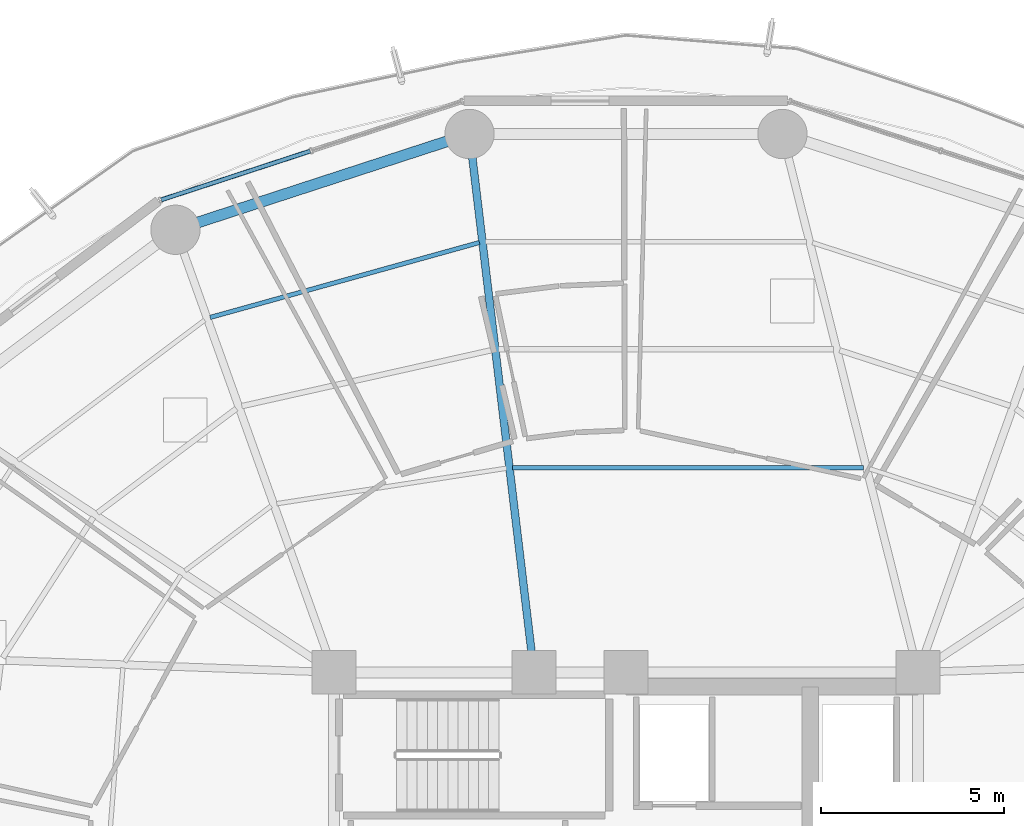
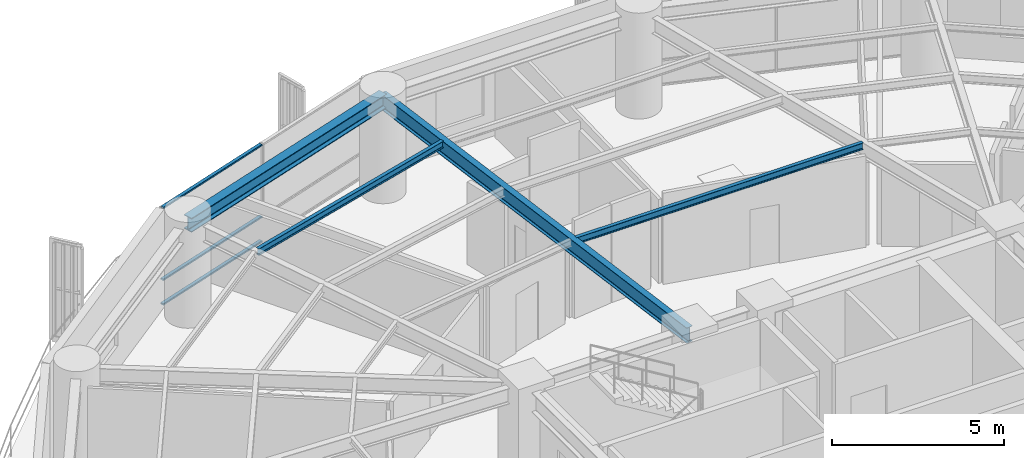
# One storey, part 21 of 35: 4 beams, 3 members, 1 element without a shape of its own.
"""IFC4 building model written with IfcOpenShell, lengths in metres."""

from ifc_helpers import new_model, si_unit, direction, frame, origin, origin_2d, place, context, subcontext, project, spatial, hollow_rectangle, i_section, extrude, material, layer, layer_set, material_profile, profile_set, type_object, element, aggregate, save


model = new_model("IFC4")

# Units and contexts
model_context = context("Model", 3, precision=1e-05, world=origin(), true_north=direction((0.0, 1.0)))
body_context = subcontext(model_context, "Body", "Model", "MODEL_VIEW")
ifc_project = project(units=[si_unit("LENGTHUNIT", "METRE"), si_unit("AREAUNIT", "SQUARE_METRE"), si_unit("VOLUMEUNIT", "CUBIC_METRE"), si_unit("PLANEANGLEUNIT", "RADIAN"), si_unit("MASSUNIT", "GRAM", prefix="KILO")], contexts=[model_context])

# Site, building, storey
site_placement = place(None, origin())
site = spatial("IfcSite", under=ifc_project, at=site_placement, CompositionType="ELEMENT")
building_placement = place(site_placement, origin())
building = spatial("IfcBuilding", under=site, at=building_placement, Name="Kelanora Arch Commons", CompositionType="ELEMENT")
storey_placement = place(building_placement, frame((0.0, 0.0, 117.60009765625)))
storey = spatial("IfcBuildingStorey", under=building, at=storey_placement, Name="L30", CompositionType="ELEMENT", Elevation=117.60009765625)

# Beams
ifc_material_1 = material(Name="Steel S355", Category="steel")
ifc_material_profile_1 = material_profile(ifc_material_1, i_section(OverallWidth=0.1201171875, OverallDepth=0.239990234375, WebThickness=0.006103515625, FlangeThickness=0.009765625, FilletRadius=0.014892578125, at=origin_2d()), Name="IPE240")
ifc_profile_set_1 = profile_set([ifc_material_profile_1], Name="Steel S355")
beam_type_1 = type_object("IfcBeamType", Name="BM-JST-02", PredefinedType="JOIST", material=ifc_profile_set_1)
beam_1_placement = place(storey_placement, frame((80.50341796875, 70.602783203125, 3.369873046875), z_axis=(-1.0, 0.0, 0.0), x_axis=(0.0, -1.0, 0.0)))
element("IfcBeam", 1, at=beam_1_placement, inside=storey, type_object=beam_type_1, Name="Secondary Chord Joist BJA-08 L30", PredefinedType="JOIST", context=body_context, shape_type="SweptSolid", body=[
    extrude(i_section(OverallWidth=0.1201171875, OverallDepth=0.239990234375, WebThickness=0.006103515625, FlangeThickness=0.009765625, FilletRadius=0.014892578125, at=origin_2d()), origin(), (0.0, 0.0, 1.0), 9.609375),
])
beam_2_placement = place(storey_placement, frame((69.985595703125, 76.77294921875, 3.369873046875), z_axis=(-0.963385760896, -0.268119144603, 0.0), x_axis=(0.268119144603, -0.963385760896, 0.0)))
element("IfcBeam", 2, at=beam_2_placement, inside=storey, type_object=beam_type_1, Name="Secondary Chord Joist BJC-10 L30", PredefinedType="JOIST", context=body_context, shape_type="SweptSolid", body=[
    extrude(i_section(OverallWidth=0.1201171875, OverallDepth=0.239990234375, WebThickness=0.006103515625, FlangeThickness=0.009765625, FilletRadius=0.014892578125, at=origin_2d()), origin(), (0.0, 0.0, 1.0), 7.656005859375),
])
ifc_material_profile_2 = material_profile(ifc_material_1, i_section(OverallWidth=0.2099609375, OverallDepth=0.550048828125, WebThickness=0.010986328125, FlangeThickness=0.01708984375, FilletRadius=0.02392578125, at=origin_2d()), Name="IPE550")
ifc_profile_set_2 = profile_set([ifc_material_profile_2], Name="Steel S355")
beam_type_2 = type_object("IfcBeamType", Name="BM-RAD-Z2", PredefinedType="BEAM", material=ifc_profile_set_2)
beam_3_placement = place(storey_placement, frame((71.47998046875, 65.0, 3.21484375), z_axis=(-0.118897572414, 0.992906524943, 0.0), x_axis=(-0.992906524943, -0.118897572414, 0.0)))
element("IfcBeam", 3, at=beam_3_placement, inside=storey, type_object=beam_type_2, Name="Radial Floor Girder BR-10 L30", PredefinedType="BEAM", context=body_context, shape_type="SweptSolid", body=[
    extrude(i_section(OverallWidth=0.2099609375, OverallDepth=0.550048828125, WebThickness=0.010986328125, FlangeThickness=0.01708984375, FilletRadius=0.02392578125, at=origin_2d()), origin(), (0.0, 0.0, 1.0), 14.849853515625),
])
ifc_material_profile_3 = material_profile(ifc_material_1, i_section(OverallWidth=0.300048828125, OverallDepth=0.5, WebThickness=0.014404296875, FlangeThickness=0.028076171875, FilletRadius=0.027099609375, at=origin_2d()), Name="HEB500")
ifc_profile_set_3 = profile_set([ifc_material_profile_3], Name="Steel S355")
beam_type_3 = type_object("IfcBeamType", Name="BM-SPN-Z2", PredefinedType="SPANDREL", material=ifc_profile_set_3)
beam_4_placement = place(storey_placement, frame((69.71435546875, 79.74462890625, 3.239990234375), z_axis=(-0.950856631974, -0.309631499418, 0.0), x_axis=(0.309631499418, -0.950856631974, 0.0)))
element("IfcBeam", 4, at=beam_4_placement, inside=storey, type_object=beam_type_3, Name="Perimeter Spandrel Beam BS-10 L30", PredefinedType="SPANDREL", context=body_context, shape_type="SweptSolid", body=[
    extrude(i_section(OverallWidth=0.300048828125, OverallDepth=0.5, WebThickness=0.014404296875, FlangeThickness=0.028076171875, FilletRadius=0.027099609375, at=origin_2d()), origin(), (0.0, 0.0, 1.0), 8.470703125),
])

# Curtain wall, members
ifc_material_2 = material(Name="Terracotta ceramic-fritted low-E glass and aluminium", Category="masonry")
ifc_layer = layer(ifc_material_2, 0.159912109375)
ifc_layer_set = layer_set([ifc_layer], Name="Terracotta ceramic-fritted low-E glass and aluminium")
curtain_wall_type = type_object("IfcCurtainWallType", Name="CW-SYS-01", PredefinedType="NOTDEFINED", material=ifc_layer_set)
curtain_wall_placement = place(storey_placement, origin())
curtain_wall = element("IfcCurtainWall", 5, at=curtain_wall_placement, inside=storey, type_object=curtain_wall_type, Name="Unitised Curtain Wall L30-B05", PredefinedType="NOTDEFINED")
ifc_material_3 = material(Name="Powder-coated aluminium terracotta", Category="masonry")
ifc_material_profile_4 = material_profile(ifc_material_3, hollow_rectangle(XDim=0.1201171875, YDim=0.06005859375, WallThickness=0.0048828125, InnerFilletRadius=0.0048828125, OuterFilletRadius=0.010009765625, at=origin_2d()), Name="CWT120x60")
ifc_profile_set_4 = profile_set([ifc_material_profile_4], Name="Powder-coated aluminium terracotta")
member_type = type_object("IfcMemberType", Name="CWT-STD", PredefinedType="USERDEFINED", material=ifc_profile_set_4)
member_1_placement = place(storey_placement, frame((65.348876953125, 79.275390625, 0.02978515625), z_axis=(-0.950466230394, -0.310827838008, 0.0), x_axis=(0.310827838008, -0.950466230394, 0.0)))
member_1 = element("IfcMember", 6, at=member_1_placement, type_object=member_type, Name="CW-01 transom 2.1", ObjectType="TRANSOM", PredefinedType="USERDEFINED", context=body_context, shape_type="SweptSolid", body=[
    extrude(hollow_rectangle(XDim=0.1201171875, YDim=0.06005859375, WallThickness=0.0048828125, InnerFilletRadius=0.0048828125, OuterFilletRadius=0.010009765625, at=origin_2d()), origin(), (0.0, 0.0, 1.0), 4.2900390625),
])
member_2_placement = place(storey_placement, frame((65.348876953125, 79.275390625, 0.89990234375), z_axis=(-0.950466230394, -0.310827838008, 0.0), x_axis=(0.310827838008, -0.950466230394, 0.0)))
member_2 = element("IfcMember", 7, at=member_2_placement, type_object=member_type, Name="CW-01 transom 2.2", ObjectType="TRANSOM", PredefinedType="USERDEFINED", context=body_context, shape_type="SweptSolid", body=[
    extrude(hollow_rectangle(XDim=0.1201171875, YDim=0.06005859375, WallThickness=0.0048828125, InnerFilletRadius=0.0048828125, OuterFilletRadius=0.010009765625, at=origin_2d()), origin(), (0.0, 0.0, 1.0), 4.2900390625),
])
member_3_placement = place(storey_placement, frame((65.348876953125, 79.275390625, 3.44482421875), z_axis=(-0.950466230394, -0.310827838008, 0.0), x_axis=(0.310827838008, -0.950466230394, 0.0)))
member_3 = element("IfcMember", 8, at=member_3_placement, type_object=member_type, Name="CW-01 transom 2.3", ObjectType="TRANSOM", PredefinedType="USERDEFINED", context=body_context, shape_type="SweptSolid", body=[
    extrude(hollow_rectangle(XDim=0.1201171875, YDim=0.06005859375, WallThickness=0.0048828125, InnerFilletRadius=0.0048828125, OuterFilletRadius=0.010009765625, at=origin_2d()), origin(), (0.0, 0.0, 1.0), 4.2900390625),
])
aggregate(curtain_wall, [member_1, member_2, member_3])

save(model, "model.ifc")
